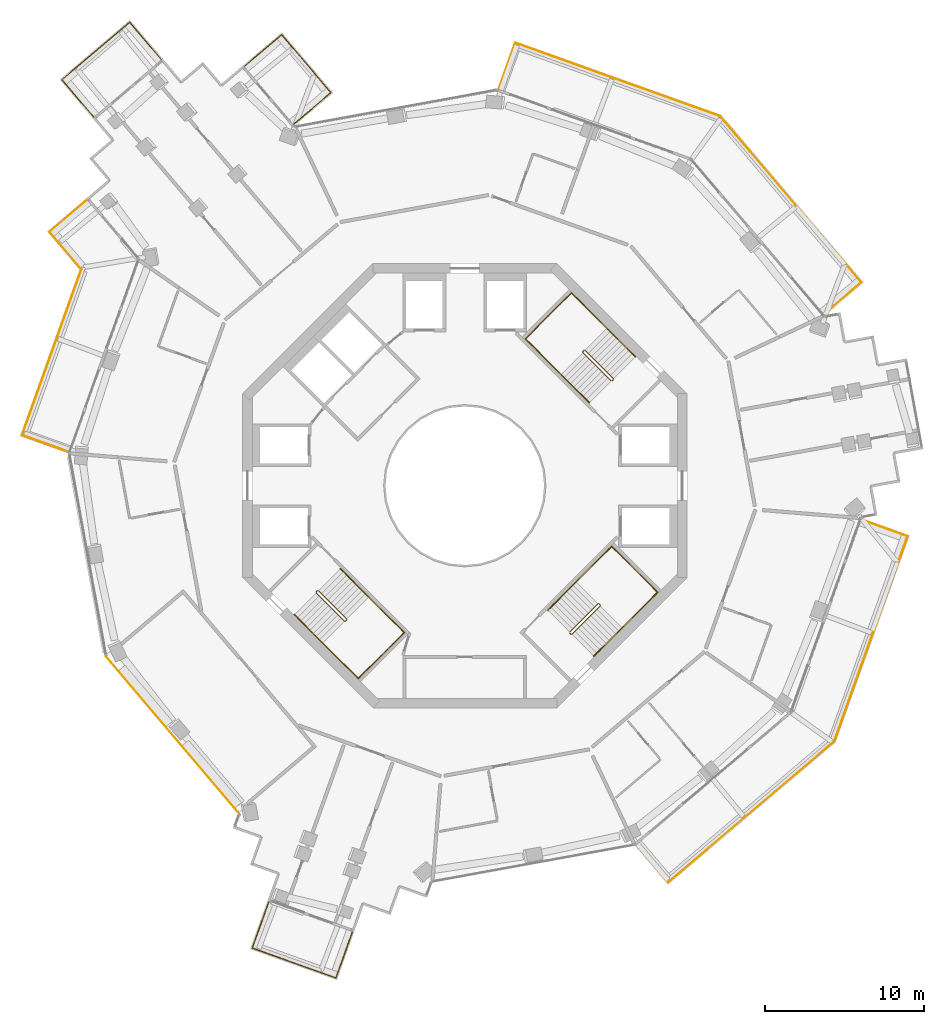
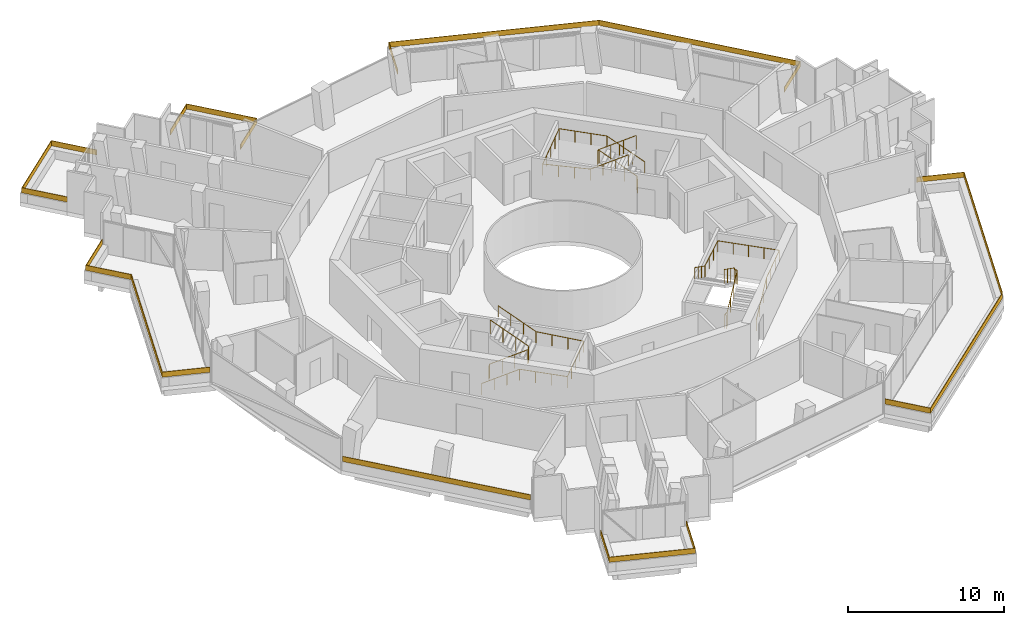
# One storey, part 21 of 21: 13 railings.
"""IFC4 building model written with IfcOpenShell, lengths in metres."""

import ifcopenshell
import ifcopenshell.guid

model = None  # the IFC model being written
_history = None  # IfcOwnerHistory: only IFC2X3 demands one
_inside = {}  # id of a spatial element -> (the spatial element, [elements in it])
_under = {}  # id of a project, library or spatial element -> (it, [spatial elements below it])
_declared = {}  # id of a project -> (the project, [libraries it declares])
_typed = {}  # id of a type object -> (the type object, [elements of that type])
_made_of = {}  # id of a material, layer set ... -> (it, [elements and type objects made of it])


def new_model(schema):
    """Start an empty IFC model of exactly this schema.

    Asked for "IFC4X3", IfcOpenShell would pick the latest addendum, in which some entities
    have other attributes; the version numbers below select the first issue.
    IFC2X3 requires an IfcOwnerHistory on every rooted entity: one is made here for all.
    """
    global model, _history
    if schema == "IFC4X3":
        model = ifcopenshell.file(schema_version=(4, 3, 0, 0))
    else:
        model = ifcopenshell.file(schema=schema)
    _inside.clear()
    _under.clear()
    _declared.clear()
    _typed.clear()
    _made_of.clear()
    _history = None
    if model.schema == "IFC2X3":
        org = make("IfcOrganization", Name="unknown")
        user = make(
            "IfcPersonAndOrganization",
            ThePerson=make("IfcPerson", FamilyName="unknown"),
            TheOrganization=org,
        )
        app = make(
            "IfcApplication",
            ApplicationDeveloper=org,
            Version="unknown",
            ApplicationFullName="unknown",
            ApplicationIdentifier="unknown",
        )
        _history = make(
            "IfcOwnerHistory",
            OwningUser=user,
            OwningApplication=app,
            ChangeAction="ADDED",
            CreationDate=0,
        )
    return model


def make(cls, **values):
    """One entity of the class cls with the attributes given. An attribute that is None is left unset."""
    return model.create_entity(
        cls, **{name: value for name, value in values.items() if value is not None}
    )


def rooted(cls, **values):
    """An entity with a GlobalId (a new one), such as an element, a storey or a relation."""
    return make(cls, GlobalId=ifcopenshell.guid.new(), OwnerHistory=_history, **values)


def si_unit(unit_type, name, prefix=None):
    """IfcSIUnit, for example si_unit("LENGTHUNIT", "METRE", prefix="MILLI")."""
    return make("IfcSIUnit", UnitType=unit_type, Prefix=prefix, Name=name)


def assignment(units):
    """IfcUnitAssignment: the units of a project."""
    return None if units is None else make("IfcUnitAssignment", Units=units)


def point(xyz):
    """IfcCartesianPoint."""
    return None if xyz is None else make("IfcCartesianPoint", Coordinates=xyz)


def direction(xyz):
    """IfcDirection."""
    return None if xyz is None else make("IfcDirection", DirectionRatios=xyz)


def frame(location, z_axis=None, x_axis=None):
    """IfcAxis2Placement3D, a coordinate frame: its origin and axes. An axis left out is left unset."""
    return make(
        "IfcAxis2Placement3D",
        Location=point(location),
        Axis=direction(z_axis),
        RefDirection=direction(x_axis),
    )


def frame_2d(location, x_axis=None):
    """IfcAxis2Placement2D, a coordinate frame in the plane: its origin and x axis."""
    return make(
        "IfcAxis2Placement2D", Location=point(location), RefDirection=direction(x_axis)
    )


def origin():
    """The frame at (0, 0, 0) with its axes left unset."""
    return frame((0.0, 0.0, 0.0))


def origin_2d():
    """The frame at (0, 0) in the plane with its x axis left unset."""
    return frame_2d((0.0, 0.0))


def place(relative_to, where):
    """IfcLocalPlacement: puts the frame where relative to a parent placement (None: the world)."""
    return make(
        "IfcLocalPlacement", PlacementRelTo=relative_to, RelativePlacement=where
    )


def context(
    kind, dimensions, precision=None, world=None, true_north=None, identifier=None
):
    """IfcGeometricRepresentationContext, for example the 3D "Model" context."""
    return make(
        "IfcGeometricRepresentationContext",
        ContextIdentifier=identifier,
        ContextType=kind,
        CoordinateSpaceDimension=dimensions,
        Precision=precision,
        WorldCoordinateSystem=world,
        TrueNorth=true_north,
    )


def subcontext(parent, identifier, kind, view, scale=None):
    """IfcGeometricRepresentationSubContext, for example "Body" below "Model"."""
    return make(
        "IfcGeometricRepresentationSubContext",
        ContextIdentifier=identifier,
        ContextType=kind,
        ParentContext=parent,
        TargetScale=scale,
        TargetView=view,
    )


def project(units=None, contexts=None):
    """IfcProject with its units and contexts."""
    return rooted(
        "IfcProject",
        Name="project",
        RepresentationContexts=contexts,
        UnitsInContext=assignment(units),
    )


def spatial(cls, under=None, at=None, **own):
    """A site, building, storey or space (cls), placed at a placement, below another one or the project."""
    s = rooted(cls, ObjectPlacement=at, **own)
    if under is not None:
        _under.setdefault(under.id(), (under, []))[1].append(s)
    return s


def polyline(points):
    """IfcPolyline through the points."""
    return make("IfcPolyline", Points=[point(p) for p in points])


def profile(cls, at=None, kind="AREA", **sizes):
    """A parametric profile (cls). Its sizes go by their IFC names, for example OverallWidth=200.0."""
    return make(cls, ProfileType=kind, Position=at, **sizes)


def rectangle(**sizes):
    """IfcRectangleProfileDef."""
    return profile("IfcRectangleProfileDef", **sizes)


def circle(**sizes):
    """IfcCircleProfileDef."""
    return profile("IfcCircleProfileDef", **sizes)


def outline(outer, holes=None, kind="AREA"):
    """IfcArbitraryClosedProfileDef: a profile drawn as a closed curve; with holes, ...WithVoids."""
    if holes is None:
        return make("IfcArbitraryClosedProfileDef", ProfileType=kind, OuterCurve=outer)
    return make(
        "IfcArbitraryProfileDefWithVoids",
        ProfileType=kind,
        OuterCurve=outer,
        InnerCurves=holes,
    )


def extrude(swept, where, along, depth):
    """IfcExtrudedAreaSolid: the profile swept, set in the frame where, extruded along a direction by depth."""
    return make(
        "IfcExtrudedAreaSolid",
        SweptArea=swept,
        Position=where,
        ExtrudedDirection=direction(along),
        Depth=depth,
    )


def shape(context_of_items, identifier, shape_type, items):
    """IfcShapeRepresentation: the items that make up one representation, for example the "Body"."""
    return make(
        "IfcShapeRepresentation",
        ContextOfItems=context_of_items,
        RepresentationIdentifier=identifier,
        RepresentationType=shape_type,
        Items=items,
    )


def material(Name=None, Category=None):
    """IfcMaterial."""
    return make("IfcMaterial", Name=Name, Category=Category)


def layer(
    of_material, thickness, ventilated=None, Name=None, Category=None, Priority=None
):
    """IfcMaterialLayer: one layer of a wall or slab, of a material (None: an air gap)."""
    return make(
        "IfcMaterialLayer",
        Material=of_material,
        LayerThickness=thickness,
        IsVentilated=ventilated,
        Name=Name,
        Category=Category,
        Priority=Priority,
    )


def layer_set(layers, Name=None):
    """IfcMaterialLayerSet."""
    return make("IfcMaterialLayerSet", MaterialLayers=layers, LayerSetName=Name)


def made_of(thing, what):
    """Note that an element or type object is made of a material, layer set ...; save() writes the relation."""
    if what is not None:
        _made_of.setdefault(what.id(), (what, []))[1].append(thing)
    return thing


def type_object(cls, material=None, **own):
    """A type object (cls), such as IfcWallType, which elements share."""
    return made_of(rooted(cls, **own), material)


def element(
    cls,
    number,
    at=None,
    inside=None,
    cuts=None,
    type_object=None,
    material=None,
    context=None,
    identifier="Body",
    shape_type=None,
    held_by="IfcProductDefinitionShape",
    body=None,
    shapes=None,
    **own,
):
    """One element of the class cls, such as IfcWall. Its Tag is "e" and its number.

    at: its placement. inside: the storey or other place that contains it. cuts: it is an
    opening in that element (IfcRelVoidsElement). A single representation is given by context,
    identifier, shape_type and body (its items); several are given by shapes. held_by: the class
    of the entity that holds the representations. save() writes the other relations.
    """
    e = rooted(cls, Tag="e%d" % number, ObjectPlacement=at, **own)
    if body is not None:
        shapes = [shape(context, identifier, shape_type, body)]
    if shapes is not None:
        e.Representation = make(held_by, Representations=shapes)
    if inside is not None:
        _inside.setdefault(inside.id(), (inside, []))[1].append(e)
    if cuts is not None:
        rooted(
            "IfcRelVoidsElement", RelatingBuildingElement=cuts, RelatedOpeningElement=e
        )
    if type_object is not None:
        _typed.setdefault(type_object.id(), (type_object, []))[1].append(e)
    return made_of(e, material)


def aggregate(whole, parts):
    """IfcRelAggregates: a whole, such as a stair, and the parts it consists of."""
    return rooted("IfcRelAggregates", RelatingObject=whole, RelatedObjects=parts)


def save(model, path):
    """Write the relations noted so far, then the file.

    IfcRelAggregates (storeys below a building ...), IfcRelContainedInSpatialStructure (elements
    in a storey), IfcRelDefinesByType, IfcRelAssociatesMaterial and IfcRelDeclares: one each for
    every whole, place, type object, material and project.
    """
    for whole, parts in _under.values():
        aggregate(whole, parts)
    for where, things in _inside.values():
        rooted(
            "IfcRelContainedInSpatialStructure",
            RelatedElements=things,
            RelatingStructure=where,
        )
    for kind, things in _typed.values():
        rooted("IfcRelDefinesByType", RelatedObjects=things, RelatingType=kind)
    for what, things in _made_of.values():
        rooted("IfcRelAssociatesMaterial", RelatedObjects=things, RelatingMaterial=what)
    for by, libraries in _declared.values():
        rooted("IfcRelDeclares", RelatingContext=by, RelatedDefinitions=libraries)
    model.write(path)


model = new_model("IFC4")

# Units and contexts
model_context = context("Model", 3, precision=1e-05, world=origin(), true_north=direction((0.0, 1.0)))
body_context = subcontext(model_context, "Body", "Model", "MODEL_VIEW")
ifc_project = project(units=[si_unit("LENGTHUNIT", "METRE"), si_unit("AREAUNIT", "SQUARE_METRE"), si_unit("VOLUMEUNIT", "CUBIC_METRE"), si_unit("PLANEANGLEUNIT", "RADIAN"), si_unit("MASSUNIT", "GRAM", prefix="KILO")], contexts=[model_context])

# Site, building, storey
site_placement = place(None, origin())
site = spatial("IfcSite", under=ifc_project, at=site_placement, CompositionType="ELEMENT")
building_placement = place(site_placement, origin())
building = spatial("IfcBuilding", under=site, at=building_placement, Name="Verdalira Terraces Hotel", CompositionType="ELEMENT")
storey_placement = place(building_placement, frame((0.0, 0.0, 197.5)))
storey = spatial("IfcBuildingStorey", under=building, at=storey_placement, Name="L48", CompositionType="ELEMENT", Elevation=197.5)

# Railings
ifc_material_1 = material(Name="Laminated glass", Category="glass")
ifc_layer = layer(ifc_material_1, 0.0400390625)
ifc_layer_set = layer_set([ifc_layer], Name="Balcony glass guard 400")
railing_type_1 = type_object("IfcRailingType", Name="Balcony glass guard 400", PredefinedType="GUARDRAIL", material=ifc_layer_set)
railing_1_placement = place(storey_placement, frame((0.0, 0.0, 0.699951)))
element("IfcRailing", 1, at=railing_1_placement, inside=storey, type_object=railing_type_1, Name="Balcony glass guard", PredefinedType="GUARDRAIL", context=body_context, shape_type="SweptSolid", body=[
    extrude(outline(polyline([(-21.128662, 29.192871), (-25.36792, 25.595215), (-23.375488, 23.247559), (-23.406006, 23.22168), (-25.424316, 25.599854), (-21.124023, 29.249268), (-19.105957, 26.871094), (-19.136475, 26.845215), (-21.128662, 29.192871)])), origin(), (0.0, 0.0, 1.0), 0.400146),
])
railing_2_placement = place(storey_placement, frame((0.0, 0.0, 0.699951)))
element("IfcRailing", 2, at=railing_2_placement, inside=storey, type_object=railing_type_1, Name="Balcony glass guard", PredefinedType="GUARDRAIL", context=body_context, shape_type="SweptSolid", body=[
    extrude(outline(polyline([(-26.152588, 16.010742), (-24.151367, 13.652588), (-27.890137, 3.199219), (-24.990967, 2.162354), (-25.004395, 2.124756), (-27.941162, 3.175049), (-24.196777, 13.644287), (-26.208984, 16.015137), (-23.830811, 18.033447), (-23.804932, 18.00293), (-26.152588, 16.010742)])), origin(), (0.0, 0.0, 1.0), 0.400146),
])
railing_3_placement = place(storey_placement, frame((0.0, 0.0, 0.699951)))
element("IfcRailing", 3, at=railing_3_placement, inside=storey, type_object=railing_type_1, Name="Balcony glass guard", PredefinedType="GUARDRAIL", context=body_context, shape_type="SweptSolid", body=[
    extrude(outline(polyline([(-13.373291, -29.136475), (-8.138184, -31.009033), (-7.101318, -28.109863), (-7.063477, -28.123291), (-8.114014, -31.060059), (-13.424561, -29.160645), (-12.374023, -26.223877), (-12.336426, -26.237305), (-13.373291, -29.136475)])), origin(), (0.0, 0.0, 1.0), 0.400146),
])
railing_4_placement = place(storey_placement, frame((0.0, 0.0, 0.699951)))
element("IfcRailing", 4, at=railing_4_placement, inside=storey, type_object=railing_type_1, Name="Balcony glass guard", PredefinedType="GUARDRAIL", context=body_context, shape_type="SweptSolid", body=[
    extrude(outline(polyline([(12.824951, -24.972168), (23.274658, -16.104004), (27.890137, -3.199219), (24.990967, -2.162354), (25.004395, -2.124756), (27.941162, -3.175049), (23.308594, -16.127686), (12.820312, -25.028564), (10.802246, -22.650391), (10.832764, -22.624512), (12.824951, -24.972168)])), origin(), (0.0, 0.0, 1.0), 0.400146),
])
railing_5_placement = place(storey_placement, frame((0.0, 0.0, 0.699951)))
element("IfcRailing", 5, at=railing_5_placement, inside=storey, type_object=railing_type_1, Name="Balcony glass guard", PredefinedType="GUARDRAIL", context=body_context, shape_type="SweptSolid", body=[
    extrude(outline(polyline([(24.972168, 12.824951), (16.104004, 23.274658), (3.199219, 27.890137), (2.162354, 24.990967), (2.124756, 25.004395), (3.175049, 27.941162), (16.127686, 23.308594), (25.028564, 12.820312), (22.650391, 10.802246), (22.624512, 10.832764), (24.972168, 12.824951)])), origin(), (0.0, 0.0, 1.0), 0.400146),
])
railing_6_placement = place(storey_placement, frame((0.0, 0.0, 0.699951)))
element("IfcRailing", 6, at=railing_6_placement, inside=storey, type_object=railing_type_1, Name="Balcony glass guard", PredefinedType="GUARDRAIL", context=body_context, shape_type="SweptSolid", body=[
    extrude(outline(polyline([(-8.469971, 24.785889), (-11.544189, 28.408203), (-13.891602, 26.416016), (-13.91748, 26.446533), (-11.539551, 28.4646), (-8.413574, 24.78125), (-10.791504, 22.763184), (-10.817627, 22.793701), (-8.469971, 24.785889)])), origin(), (0.0, 0.0, 1.0), 0.400146),
])
railing_7_placement = place(storey_placement, frame((-18.45752, -15.664062, 0.699951), z_axis=(0.0, 0.0, 1.0), x_axis=(0.647055962, -0.762442511, 0.0)))
element("IfcRailing", 7, at=railing_7_placement, inside=storey, type_object=railing_type_1, Name="Loggia glass guard", PredefinedType="GUARDRAIL", context=body_context, shape_type="SweptSolid", body=[
    extrude(rectangle(XDim=12.840088, YDim=0.040039, at=origin_2d()), origin(), (0.0, 0.0, 1.0), 0.399902),
])
ifc_material_2 = material(Name="Stainless steel", Category="steel")
railing_type_2 = type_object("IfcRailingType", Name="Stair guard 1100", PredefinedType="GUARDRAIL", material=ifc_material_2)
railing_8_placement = place(storey_placement, frame((9.369141, 6.682129, 0.0)))
element("IfcRailing", 8, at=railing_8_placement, inside=storey, type_object=railing_type_2, Name="L48 ST1 stair guard 1", PredefinedType="GUARDRAIL", context=body_context, shape_type="SweptSolid", body=[
    extrude(circle(Radius=0.023926, at=origin_2d()), frame((0.0, 0.0, 1.076172), z_axis=(-0.707106781, -0.707106781, 0.0), x_axis=(0.707106781, -0.707106781, 0.0)), (0.0, 0.0, 1.0), 0.100098),
    extrude(circle(Radius=0.023926, at=origin_2d()), frame((-0.070801, -0.070801, 1.076172), z_axis=(0.299976798, 0.599953596, 0.741666773), x_axis=(-0.894427191, 0.447213596, 0.0)), (0.0, 0.0, 1.0), 0.236084),
    extrude(circle(Radius=0.023926, at=origin_2d()), frame((0.0, 0.070801, 1.250977), z_axis=(-0.599667044, 0.599584886, 0.529997548), x_axis=(-0.707058338, -0.707155221, 0.0)), (0.0, 0.0, 1.0), 2.97168),
    extrude(circle(Radius=0.023926, at=origin_2d()), frame((-1.781982, 1.852539, 2.826172), z_axis=(-1.0, 0.0, 0.0), x_axis=(0.0, -1.0, 0.0)), (0.0, 0.0, 1.0), 0.070557),
    extrude(circle(Radius=0.023926, at=origin_2d()), frame((-1.852539, 1.852539, 2.826172), z_axis=(-0.70832698, -0.705884473, 0.0), x_axis=(0.705884473, -0.70832698, 0.0)), (0.0, 0.0, 1.0), 0.099854),
    extrude(circle(Radius=0.023926, at=origin_2d()), frame((-1.92334, 1.781982, 2.826172), z_axis=(0.0, -0.374954687, 0.92704314), x_axis=(1.0, 0.0, 0.0)), (0.0, 0.0, 1.0), 0.188721),
    extrude(circle(Radius=0.023926, at=origin_2d()), frame((-1.92334, 1.711182, 3.000977), z_axis=(0.599637504, -0.599637504, 0.52997144), x_axis=(0.707106781, 0.707106781, 0.0)), (0.0, 0.0, 1.0), 2.97168),
    extrude(circle(Radius=0.020996, at=origin_2d()), origin(), (0.0, 0.0, 1.0), 1.052002),
    extrude(circle(Radius=0.020996, at=origin_2d()), frame((-0.070801, -0.070801, 0.0)), (0.0, 0.0, 1.0), 1.052002),
    extrude(circle(Radius=0.020996, at=origin_2d()), frame((0.0, 0.070801, 0.175049)), (0.0, 0.0, 1.0), 1.052002),
    extrude(circle(Radius=0.020996, at=origin_2d()), frame((-0.593994, 0.664795, 0.699951)), (0.0, 0.0, 1.0), 1.052002),
    extrude(circle(Radius=0.020996, at=origin_2d()), frame((-1.187988, 1.258545, 1.225098)), (0.0, 0.0, 1.0), 1.052002),
    extrude(circle(Radius=0.020996, at=origin_2d()), frame((-1.781982, 1.852539, 1.75)), (0.0, 0.0, 1.0), 1.052002),
    extrude(circle(Radius=0.020996, at=origin_2d()), frame((-1.852539, 1.852539, 1.75)), (0.0, 0.0, 1.0), 1.052002),
    extrude(circle(Radius=0.020996, at=origin_2d()), frame((-1.92334, 1.781982, 1.75)), (0.0, 0.0, 1.0), 1.052002),
    extrude(circle(Radius=0.020996, at=origin_2d()), frame((-1.92334, 1.711182, 1.925049)), (0.0, 0.0, 1.0), 1.052002),
    extrude(circle(Radius=0.020996, at=origin_2d()), frame((-1.329346, 1.117188, 2.449951)), (0.0, 0.0, 1.0), 1.052002),
    extrude(circle(Radius=0.020996, at=origin_2d()), frame((-0.735352, 0.523193, 2.975098)), (0.0, 0.0, 1.0), 1.052002),
    extrude(circle(Radius=0.020996, at=origin_2d()), frame((-0.141357, -0.070801, 3.5)), (0.0, 0.0, 1.0), 1.052002),
])
railing_9_placement = place(storey_placement, frame((-9.369141, -6.682129, 0.0)))
element("IfcRailing", 9, at=railing_9_placement, inside=storey, type_object=railing_type_2, Name="L48 ST2 stair guard 1", PredefinedType="GUARDRAIL", context=body_context, shape_type="SweptSolid", body=[
    extrude(circle(Radius=0.023926, at=origin_2d()), frame((0.0, 0.0, 1.076172), z_axis=(0.707106781, 0.707106781, 0.0), x_axis=(-0.707106781, 0.707106781, 0.0)), (0.0, 0.0, 1.0), 0.100098),
    extrude(circle(Radius=0.023926, at=origin_2d()), frame((0.070801, 0.070801, 1.076172), z_axis=(-0.299976798, -0.599953596, 0.741666773), x_axis=(0.894427191, -0.447213596, 0.0)), (0.0, 0.0, 1.0), 0.236084),
    extrude(circle(Radius=0.023926, at=origin_2d()), frame((0.0, -0.070801, 1.250977), z_axis=(0.599667044, -0.599584886, 0.529997548), x_axis=(0.707058338, 0.707155221, 0.0)), (0.0, 0.0, 1.0), 2.97168),
    extrude(circle(Radius=0.023926, at=origin_2d()), frame((1.781982, -1.852539, 2.826172), z_axis=(1.0, 0.0, 0.0), x_axis=(0.0, 1.0, 0.0)), (0.0, 0.0, 1.0), 0.070557),
    extrude(circle(Radius=0.023926, at=origin_2d()), frame((1.852539, -1.852539, 2.826172), z_axis=(0.70832698, 0.705884473, 0.0), x_axis=(-0.705884473, 0.70832698, 0.0)), (0.0, 0.0, 1.0), 0.099854),
    extrude(circle(Radius=0.023926, at=origin_2d()), frame((1.92334, -1.781982, 2.826172), z_axis=(0.0, 0.374954687, 0.92704314), x_axis=(-1.0, 0.0, 0.0)), (0.0, 0.0, 1.0), 0.188721),
    extrude(circle(Radius=0.023926, at=origin_2d()), frame((1.92334, -1.711182, 3.000977), z_axis=(-0.599637504, 0.599637504, 0.52997144), x_axis=(-0.707106781, -0.707106781, 0.0)), (0.0, 0.0, 1.0), 2.97168),
    extrude(circle(Radius=0.020996, at=origin_2d()), origin(), (0.0, 0.0, 1.0), 1.052002),
    extrude(circle(Radius=0.020996, at=origin_2d()), frame((0.070801, 0.070801, 0.0)), (0.0, 0.0, 1.0), 1.052002),
    extrude(circle(Radius=0.020996, at=origin_2d()), frame((0.0, -0.070801, 0.175049)), (0.0, 0.0, 1.0), 1.052002),
    extrude(circle(Radius=0.020996, at=origin_2d()), frame((0.593994, -0.664795, 0.699951)), (0.0, 0.0, 1.0), 1.052002),
    extrude(circle(Radius=0.020996, at=origin_2d()), frame((1.187988, -1.258545, 1.225098)), (0.0, 0.0, 1.0), 1.052002),
    extrude(circle(Radius=0.020996, at=origin_2d()), frame((1.781982, -1.852539, 1.75)), (0.0, 0.0, 1.0), 1.052002),
    extrude(circle(Radius=0.020996, at=origin_2d()), frame((1.852539, -1.852539, 1.75)), (0.0, 0.0, 1.0), 1.052002),
    extrude(circle(Radius=0.020996, at=origin_2d()), frame((1.92334, -1.781982, 1.75)), (0.0, 0.0, 1.0), 1.052002),
    extrude(circle(Radius=0.020996, at=origin_2d()), frame((1.92334, -1.711182, 1.925049)), (0.0, 0.0, 1.0), 1.052002),
    extrude(circle(Radius=0.020996, at=origin_2d()), frame((1.329346, -1.117188, 2.449951)), (0.0, 0.0, 1.0), 1.052002),
    extrude(circle(Radius=0.020996, at=origin_2d()), frame((0.735352, -0.523193, 2.975098)), (0.0, 0.0, 1.0), 1.052002),
    extrude(circle(Radius=0.020996, at=origin_2d()), frame((0.141357, 0.070801, 3.5)), (0.0, 0.0, 1.0), 1.052002),
])
railing_10_placement = place(storey_placement, frame((6.682129, -9.369141, 0.0)))
element("IfcRailing", 10, at=railing_10_placement, inside=storey, type_object=railing_type_2, Name="L48 ST3 stair guard 1", PredefinedType="GUARDRAIL", context=body_context, shape_type="SweptSolid", body=[
    extrude(circle(Radius=0.023926, at=origin_2d()), frame((0.0, 0.0, 1.076172), z_axis=(-0.707106781, 0.707106781, 0.0), x_axis=(-0.707106781, -0.707106781, 0.0)), (0.0, 0.0, 1.0), 0.100098),
    extrude(circle(Radius=0.023926, at=origin_2d()), frame((-0.070801, 0.070801, 1.076172), z_axis=(0.599953596, -0.299976798, 0.741666773), x_axis=(0.447213596, 0.894427191, 0.0)), (0.0, 0.0, 1.0), 0.236084),
    extrude(circle(Radius=0.023926, at=origin_2d()), frame((0.070801, 0.0, 1.250977), z_axis=(0.599584886, 0.599667044, 0.529997548), x_axis=(-0.707155221, 0.707058338, 0.0)), (0.0, 0.0, 1.0), 2.97168),
    extrude(circle(Radius=0.023926, at=origin_2d()), frame((1.852539, 1.781982, 2.826172), z_axis=(0.0, 1.0, 0.0), x_axis=(-1.0, 0.0, 0.0)), (0.0, 0.0, 1.0), 0.070557),
    extrude(circle(Radius=0.023926, at=origin_2d()), frame((1.852539, 1.852539, 2.826172), z_axis=(-0.705884473, 0.70832698, 0.0), x_axis=(-0.70832698, -0.705884473, 0.0)), (0.0, 0.0, 1.0), 0.099854),
    extrude(circle(Radius=0.023926, at=origin_2d()), frame((1.781982, 1.92334, 2.826172), z_axis=(-0.374954687, 0.0, 0.92704314), x_axis=(0.0, -1.0, 0.0)), (0.0, 0.0, 1.0), 0.188721),
    extrude(circle(Radius=0.023926, at=origin_2d()), frame((1.711182, 1.92334, 3.000977), z_axis=(-0.599637504, -0.599637504, 0.52997144), x_axis=(0.707106781, -0.707106781, 0.0)), (0.0, 0.0, 1.0), 2.97168),
    extrude(circle(Radius=0.020996, at=origin_2d()), origin(), (0.0, 0.0, 1.0), 1.052002),
    extrude(circle(Radius=0.020996, at=origin_2d()), frame((-0.070801, 0.070801, 0.0)), (0.0, 0.0, 1.0), 1.052002),
    extrude(circle(Radius=0.020996, at=origin_2d()), frame((0.070801, 0.0, 0.175049)), (0.0, 0.0, 1.0), 1.052002),
    extrude(circle(Radius=0.020996, at=origin_2d()), frame((0.664795, 0.593994, 0.699951)), (0.0, 0.0, 1.0), 1.052002),
    extrude(circle(Radius=0.020996, at=origin_2d()), frame((1.258545, 1.187988, 1.225098)), (0.0, 0.0, 1.0), 1.052002),
    extrude(circle(Radius=0.020996, at=origin_2d()), frame((1.852539, 1.781982, 1.75)), (0.0, 0.0, 1.0), 1.052002),
    extrude(circle(Radius=0.020996, at=origin_2d()), frame((1.852539, 1.852539, 1.75)), (0.0, 0.0, 1.0), 1.052002),
    extrude(circle(Radius=0.020996, at=origin_2d()), frame((1.781982, 1.92334, 1.75)), (0.0, 0.0, 1.0), 1.052002),
    extrude(circle(Radius=0.020996, at=origin_2d()), frame((1.711182, 1.92334, 1.925049)), (0.0, 0.0, 1.0), 1.052002),
    extrude(circle(Radius=0.020996, at=origin_2d()), frame((1.117188, 1.329346, 2.449951)), (0.0, 0.0, 1.0), 1.052002),
    extrude(circle(Radius=0.020996, at=origin_2d()), frame((0.523193, 0.735352, 2.975098)), (0.0, 0.0, 1.0), 1.052002),
    extrude(circle(Radius=0.020996, at=origin_2d()), frame((-0.070801, 0.141357, 3.5)), (0.0, 0.0, 1.0), 1.052002),
])
ifc_material_3 = material(Name="Stainless steel", Category="steel")
railing_type_3 = type_object("IfcRailingType", Name="Stair handrail 900", PredefinedType="HANDRAIL", material=ifc_material_3)
railing_11_placement = place(storey_placement, frame((10.748047, 8.131836, 0.175049)))
element("IfcRailing", 11, at=railing_11_placement, inside=storey, type_object=railing_type_3, Name="L48 ST1 stair handrail 1", PredefinedType="HANDRAIL", context=body_context, shape_type="SweptSolid", body=[
    extrude(circle(Radius=0.023926, at=origin_2d()), frame((0.0, 0.0, 0.875977), z_axis=(-0.599667044, 0.599584886, 0.529997548), x_axis=(-0.707058338, -0.707155221, 0.0)), (0.0, 0.0, 1.0), 2.97168),
    extrude(circle(Radius=0.023926, at=origin_2d()), frame((-1.781982, 1.781738, 2.450684), z_axis=(-0.707068394, 0.707145166, 0.0), x_axis=(-0.707145166, -0.707068394, 0.0)), (0.0, 0.0, 1.0), 3.180176),
    extrude(circle(Radius=0.023926, at=origin_2d()), frame((-4.030518, 4.030518, 2.450684), z_axis=(-0.707106781, -0.707106781, 0.0), x_axis=(0.707106781, -0.707106781, 0.0)), (0.0, 0.0, 1.0), 4.100098),
    extrude(circle(Radius=0.023926, at=origin_2d()), frame((-6.929688, 1.131348, 2.450684), z_axis=(0.705999616, -0.706076271, 0.054962185), x_axis=(0.707145166, 0.707068394, 0.0)), (0.0, 0.0, 1.0), 3.184814),
    extrude(circle(Radius=0.023926, at=origin_2d()), frame((-4.681152, -1.117432, 2.625977), z_axis=(0.599667044, -0.599584886, 0.529997548), x_axis=(0.707058338, 0.707155221, 0.0)), (0.0, 0.0, 1.0), 2.97168),
    extrude(circle(Radius=0.020996, at=origin_2d()), origin(), (0.0, 0.0, 1.0), 0.851807),
    extrude(circle(Radius=0.020996, at=origin_2d()), frame((-0.593994, 0.593994, 0.524902)), (0.0, 0.0, 1.0), 0.851807),
    extrude(circle(Radius=0.020996, at=origin_2d()), frame((-1.187988, 1.187744, 1.050049)), (0.0, 0.0, 1.0), 0.851807),
    extrude(circle(Radius=0.020996, at=origin_2d()), frame((-1.781982, 1.781738, 1.574951)), (0.0, 0.0, 1.0), 0.851807),
    extrude(circle(Radius=0.020996, at=origin_2d()), frame((-2.531494, 2.53125, 1.574951)), (0.0, 0.0, 1.0), 0.851807),
    extrude(circle(Radius=0.020996, at=origin_2d()), frame((-3.281006, 3.281006, 1.574951)), (0.0, 0.0, 1.0), 0.851807),
    extrude(circle(Radius=0.020996, at=origin_2d()), frame((-4.030518, 4.030518, 1.574951)), (0.0, 0.0, 1.0), 0.851807),
    extrude(circle(Radius=0.020996, at=origin_2d()), frame((-4.755371, 3.305664, 1.574951)), (0.0, 0.0, 1.0), 0.851807),
    extrude(circle(Radius=0.020996, at=origin_2d()), frame((-5.47998, 2.581055, 1.574951)), (0.0, 0.0, 1.0), 0.851807),
    extrude(circle(Radius=0.020996, at=origin_2d()), frame((-6.204834, 1.856201, 1.574951)), (0.0, 0.0, 1.0), 0.851807),
    extrude(circle(Radius=0.020996, at=origin_2d()), frame((-6.929688, 1.131348, 1.574951)), (0.0, 0.0, 1.0), 0.851807),
    extrude(circle(Radius=0.020996, at=origin_2d()), frame((-6.180176, 0.381836, 1.633301)), (0.0, 0.0, 1.0), 0.851807),
    extrude(circle(Radius=0.020996, at=origin_2d()), frame((-5.430664, -0.36792, 1.69165)), (0.0, 0.0, 1.0), 0.851807),
    extrude(circle(Radius=0.020996, at=origin_2d()), frame((-4.681152, -1.117432, 1.75)), (0.0, 0.0, 1.0), 0.851807),
    extrude(circle(Radius=0.020996, at=origin_2d()), frame((-4.087158, -1.711426, 2.274902)), (0.0, 0.0, 1.0), 0.851807),
    extrude(circle(Radius=0.020996, at=origin_2d()), frame((-3.493164, -2.305176, 2.800049)), (0.0, 0.0, 1.0), 0.851807),
    extrude(circle(Radius=0.020996, at=origin_2d()), frame((-2.89917, -2.89917, 3.324951)), (0.0, 0.0, 1.0), 0.851807),
])
railing_12_placement = place(storey_placement, frame((-10.748047, -8.131836, 0.175049)))
element("IfcRailing", 12, at=railing_12_placement, inside=storey, type_object=railing_type_3, Name="L48 ST2 stair handrail 1", PredefinedType="HANDRAIL", context=body_context, shape_type="SweptSolid", body=[
    extrude(circle(Radius=0.023926, at=origin_2d()), frame((0.0, 0.0, 0.875977), z_axis=(0.599667044, -0.599584886, 0.529997548), x_axis=(0.707058338, 0.707155221, 0.0)), (0.0, 0.0, 1.0), 2.97168),
    extrude(circle(Radius=0.023926, at=origin_2d()), frame((1.781982, -1.781738, 2.450684), z_axis=(0.707068394, -0.707145166, 0.0), x_axis=(0.707145166, 0.707068394, 0.0)), (0.0, 0.0, 1.0), 3.180176),
    extrude(circle(Radius=0.023926, at=origin_2d()), frame((4.030518, -4.030518, 2.450684), z_axis=(0.707106781, 0.707106781, 0.0), x_axis=(-0.707106781, 0.707106781, 0.0)), (0.0, 0.0, 1.0), 4.100098),
    extrude(circle(Radius=0.023926, at=origin_2d()), frame((6.929688, -1.131348, 2.450684), z_axis=(-0.705999616, 0.706076271, 0.054962185), x_axis=(-0.707145166, -0.707068394, 0.0)), (0.0, 0.0, 1.0), 3.184814),
    extrude(circle(Radius=0.023926, at=origin_2d()), frame((4.681152, 1.117432, 2.625977), z_axis=(-0.599667044, 0.599584886, 0.529997548), x_axis=(-0.707058338, -0.707155221, 0.0)), (0.0, 0.0, 1.0), 2.97168),
    extrude(circle(Radius=0.020996, at=origin_2d()), origin(), (0.0, 0.0, 1.0), 0.851807),
    extrude(circle(Radius=0.020996, at=origin_2d()), frame((0.593994, -0.593994, 0.524902)), (0.0, 0.0, 1.0), 0.851807),
    extrude(circle(Radius=0.020996, at=origin_2d()), frame((1.187988, -1.187744, 1.050049)), (0.0, 0.0, 1.0), 0.851807),
    extrude(circle(Radius=0.020996, at=origin_2d()), frame((1.781982, -1.781738, 1.574951)), (0.0, 0.0, 1.0), 0.851807),
    extrude(circle(Radius=0.020996, at=origin_2d()), frame((2.531494, -2.53125, 1.574951)), (0.0, 0.0, 1.0), 0.851807),
    extrude(circle(Radius=0.020996, at=origin_2d()), frame((3.281006, -3.281006, 1.574951)), (0.0, 0.0, 1.0), 0.851807),
    extrude(circle(Radius=0.020996, at=origin_2d()), frame((4.030518, -4.030518, 1.574951)), (0.0, 0.0, 1.0), 0.851807),
    extrude(circle(Radius=0.020996, at=origin_2d()), frame((4.755371, -3.305664, 1.574951)), (0.0, 0.0, 1.0), 0.851807),
    extrude(circle(Radius=0.020996, at=origin_2d()), frame((5.47998, -2.581055, 1.574951)), (0.0, 0.0, 1.0), 0.851807),
    extrude(circle(Radius=0.020996, at=origin_2d()), frame((6.204834, -1.856201, 1.574951)), (0.0, 0.0, 1.0), 0.851807),
    extrude(circle(Radius=0.020996, at=origin_2d()), frame((6.929688, -1.131348, 1.574951)), (0.0, 0.0, 1.0), 0.851807),
    extrude(circle(Radius=0.020996, at=origin_2d()), frame((6.180176, -0.381836, 1.633301)), (0.0, 0.0, 1.0), 0.851807),
    extrude(circle(Radius=0.020996, at=origin_2d()), frame((5.430664, 0.36792, 1.69165)), (0.0, 0.0, 1.0), 0.851807),
    extrude(circle(Radius=0.020996, at=origin_2d()), frame((4.681152, 1.117432, 1.75)), (0.0, 0.0, 1.0), 0.851807),
    extrude(circle(Radius=0.020996, at=origin_2d()), frame((4.087158, 1.711426, 2.274902)), (0.0, 0.0, 1.0), 0.851807),
    extrude(circle(Radius=0.020996, at=origin_2d()), frame((3.493164, 2.305176, 2.800049)), (0.0, 0.0, 1.0), 0.851807),
    extrude(circle(Radius=0.020996, at=origin_2d()), frame((2.89917, 2.89917, 3.324951)), (0.0, 0.0, 1.0), 0.851807),
])
railing_13_placement = place(storey_placement, frame((8.131836, -10.748047, 0.175049)))
element("IfcRailing", 13, at=railing_13_placement, inside=storey, type_object=railing_type_3, Name="L48 ST3 stair handrail 1", PredefinedType="HANDRAIL", context=body_context, shape_type="SweptSolid", body=[
    extrude(circle(Radius=0.023926, at=origin_2d()), frame((0.0, 0.0, 0.875977), z_axis=(0.599584886, 0.599667044, 0.529997548), x_axis=(-0.707155221, 0.707058338, 0.0)), (0.0, 0.0, 1.0), 2.97168),
    extrude(circle(Radius=0.023926, at=origin_2d()), frame((1.781738, 1.781982, 2.450684), z_axis=(0.707145166, 0.707068394, 0.0), x_axis=(-0.707068394, 0.707145166, 0.0)), (0.0, 0.0, 1.0), 3.180176),
    extrude(circle(Radius=0.023926, at=origin_2d()), frame((4.030518, 4.030518, 2.450684), z_axis=(-0.707106781, 0.707106781, 0.0), x_axis=(-0.707106781, -0.707106781, 0.0)), (0.0, 0.0, 1.0), 4.100098),
    extrude(circle(Radius=0.023926, at=origin_2d()), frame((1.131348, 6.929688, 2.450684), z_axis=(-0.706076271, -0.705999616, 0.054962185), x_axis=(0.707068394, -0.707145166, 0.0)), (0.0, 0.0, 1.0), 3.184814),
    extrude(circle(Radius=0.023926, at=origin_2d()), frame((-1.117432, 4.681152, 2.625977), z_axis=(-0.599584886, -0.599667044, 0.529997548), x_axis=(0.707155221, -0.707058338, 0.0)), (0.0, 0.0, 1.0), 2.97168),
    extrude(circle(Radius=0.020996, at=origin_2d()), origin(), (0.0, 0.0, 1.0), 0.851807),
    extrude(circle(Radius=0.020996, at=origin_2d()), frame((0.593994, 0.593994, 0.524902)), (0.0, 0.0, 1.0), 0.851807),
    extrude(circle(Radius=0.020996, at=origin_2d()), frame((1.187744, 1.187988, 1.050049)), (0.0, 0.0, 1.0), 0.851807),
    extrude(circle(Radius=0.020996, at=origin_2d()), frame((1.781738, 1.781982, 1.574951)), (0.0, 0.0, 1.0), 0.851807),
    extrude(circle(Radius=0.020996, at=origin_2d()), frame((2.53125, 2.531494, 1.574951)), (0.0, 0.0, 1.0), 0.851807),
    extrude(circle(Radius=0.020996, at=origin_2d()), frame((3.281006, 3.281006, 1.574951)), (0.0, 0.0, 1.0), 0.851807),
    extrude(circle(Radius=0.020996, at=origin_2d()), frame((4.030518, 4.030518, 1.574951)), (0.0, 0.0, 1.0), 0.851807),
    extrude(circle(Radius=0.020996, at=origin_2d()), frame((3.305664, 4.755371, 1.574951)), (0.0, 0.0, 1.0), 0.851807),
    extrude(circle(Radius=0.020996, at=origin_2d()), frame((2.581055, 5.47998, 1.574951)), (0.0, 0.0, 1.0), 0.851807),
    extrude(circle(Radius=0.020996, at=origin_2d()), frame((1.856201, 6.204834, 1.574951)), (0.0, 0.0, 1.0), 0.851807),
    extrude(circle(Radius=0.020996, at=origin_2d()), frame((1.131348, 6.929688, 1.574951)), (0.0, 0.0, 1.0), 0.851807),
    extrude(circle(Radius=0.020996, at=origin_2d()), frame((0.381836, 6.180176, 1.633301)), (0.0, 0.0, 1.0), 0.851807),
    extrude(circle(Radius=0.020996, at=origin_2d()), frame((-0.36792, 5.430664, 1.69165)), (0.0, 0.0, 1.0), 0.851807),
    extrude(circle(Radius=0.020996, at=origin_2d()), frame((-1.117432, 4.681152, 1.75)), (0.0, 0.0, 1.0), 0.851807),
    extrude(circle(Radius=0.020996, at=origin_2d()), frame((-1.711426, 4.087158, 2.274902)), (0.0, 0.0, 1.0), 0.851807),
    extrude(circle(Radius=0.020996, at=origin_2d()), frame((-2.305176, 3.493164, 2.800049)), (0.0, 0.0, 1.0), 0.851807),
    extrude(circle(Radius=0.020996, at=origin_2d()), frame((-2.89917, 2.89917, 3.324951)), (0.0, 0.0, 1.0), 0.851807),
])

save(model, "model.ifc")
